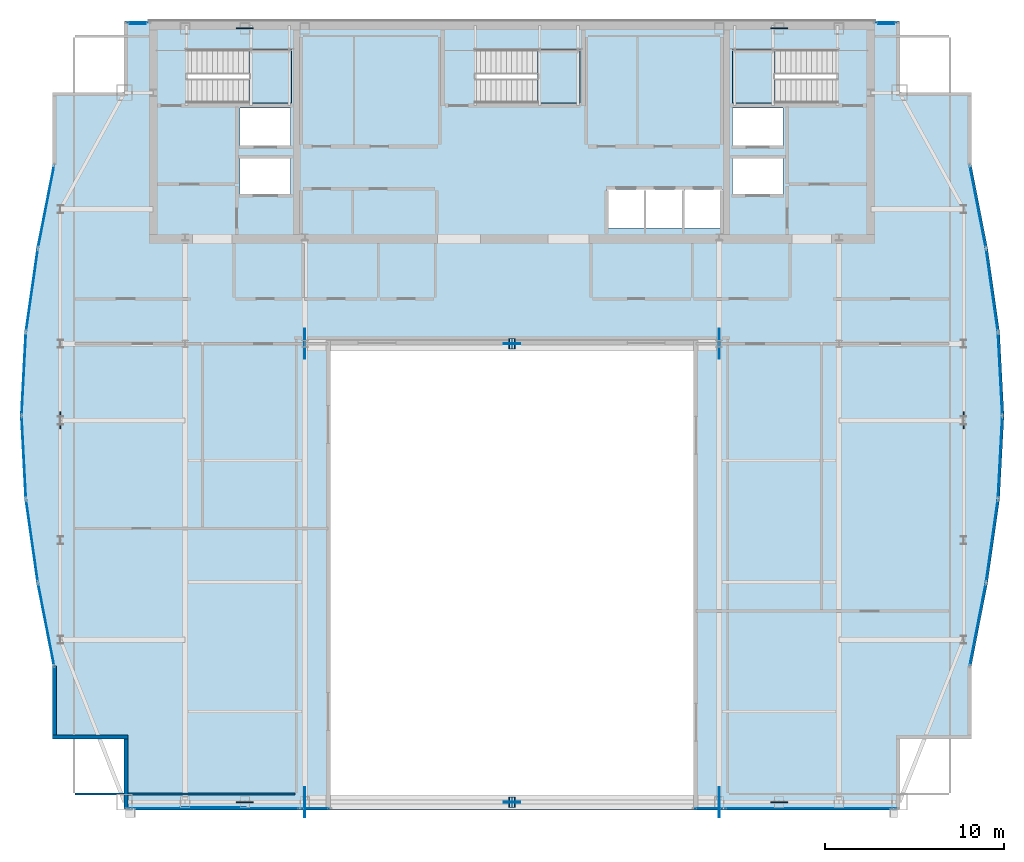
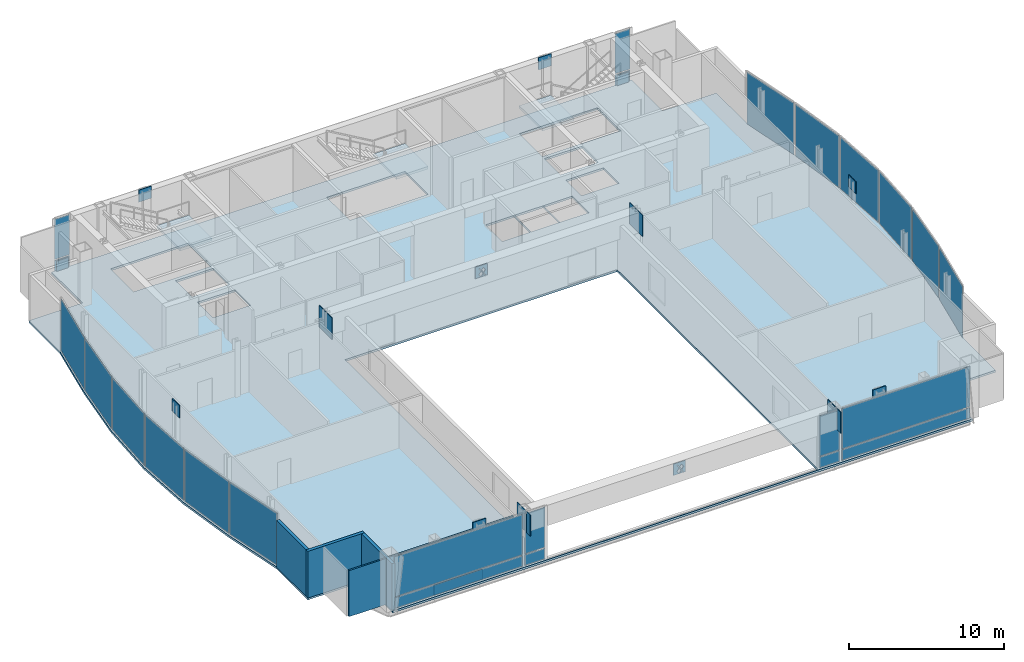
# One storey, part 21 of 27: 43 plates, 4 slabs, 4 walls, 21 elements without a shape of their own.
"""IFC4 building model written with IfcOpenShell, lengths in metres."""

from ifc_helpers import new_model, si_unit, direction, frame, frame_2d, origin, origin_2d, place, context, subcontext, project, spatial, polyline, rectangle, outline, extrude, material, layer, layer_set, type_object, element, aggregate, save


model = new_model("IFC4")

# Units and contexts
model_context = context("Model", 3, precision=1e-05, world=origin(), true_north=direction((0.0, 1.0)))
body_context = subcontext(model_context, "Body", "Model", "MODEL_VIEW")
ifc_project = project(units=[si_unit("LENGTHUNIT", "METRE"), si_unit("AREAUNIT", "SQUARE_METRE"), si_unit("VOLUMEUNIT", "CUBIC_METRE"), si_unit("PLANEANGLEUNIT", "RADIAN"), si_unit("MASSUNIT", "GRAM", prefix="KILO")], contexts=[model_context])

# Site, building, storey
site_placement = place(None, origin())
site = spatial("IfcSite", under=ifc_project, at=site_placement, CompositionType="ELEMENT")
building_placement = place(site_placement, origin())
building = spatial("IfcBuilding", under=site, at=building_placement, Name="Khoronbel Lancet Exchange", CompositionType="ELEMENT")
storey_placement = place(building_placement, frame((0.0, 0.0, 310.199951171875)))
storey = spatial("IfcBuildingStorey", under=building, at=storey_placement, Name="L80", CompositionType="ELEMENT", Elevation=310.199951171875)

# Curtain wall, plate
ifc_material_1 = material(Name="Low-E Solar Control Insulating Glass", Category="glass")
curtain_wall_type_1 = type_object("IfcCurtainWallType", Name="CW-4", PredefinedType="NOTDEFINED", material=ifc_material_1)
curtain_wall_1_placement = place(storey_placement, origin())
curtain_wall_1 = element("IfcCurtainWall", 1, at=curtain_wall_1_placement, inside=storey, type_object=curtain_wall_type_1, Name="Unitised curtain wall CW-L80-E05", PredefinedType="NOTDEFINED")
ifc_material_2 = material(Name="Bronze-Anodised Aluminium 6063-T6", Category="aluminium")
ifc_layer_1 = layer(ifc_material_2, 0.050048828125, Name="Bronze-Anodised Aluminium 6063-T6")
ifc_layer_set_1 = layer_set([ifc_layer_1], Name="Bronze-Anodised Aluminium 6063-T6")
plate_type_1 = type_object("IfcPlateType", Name="PLT-CSP1", PredefinedType="SHEET", material=ifc_layer_set_1)
plate_1_placement = place(storey_placement, frame((9.69091796875, 24.7119140625, 0.0849609375), z_axis=(0.0, 0.0, 1.0), x_axis=(-0.141906041556, 0.989880131819, 0.0)))
plate_1 = element("IfcPlate", 2, at=plate_1_placement, type_object=plate_type_1, Name="CW4 panel 1.1", PredefinedType="CURTAIN_PANEL", context=body_context, shape_type="SweptSolid", body=[
    extrude(rectangle(XDim=4.55810546875, YDim=0.0380859375, at=origin_2d()), origin(), (0.0, 0.0, 1.0), 4.070068359375),
])
aggregate(curtain_wall_1, [plate_1])

curtain_wall_2_placement = place(storey_placement, origin())
curtain_wall_2 = element("IfcCurtainWall", 3, at=curtain_wall_2_placement, inside=storey, type_object=curtain_wall_type_1, Name="Unitised curtain wall CW-L80-E06", PredefinedType="NOTDEFINED")
plate_2_placement = place(storey_placement, frame((9.234619140625, 29.37109375, 0.0849609375), z_axis=(0.0, 0.0, 1.0), x_axis=(-0.052419298932, 0.998625163462, 0.0)))
plate_2 = element("IfcPlate", 4, at=plate_2_placement, type_object=plate_type_1, Name="CW4 panel 1.1", PredefinedType="CURTAIN_PANEL", context=body_context, shape_type="SweptSolid", body=[
    extrude(rectangle(XDim=4.514404296875, YDim=0.0380859375, at=origin_2d()), origin(), (0.0, 0.0, 1.0), 4.070068359375),
])
aggregate(curtain_wall_2, [plate_2])

curtain_wall_3_placement = place(storey_placement, origin())
curtain_wall_3 = element("IfcCurtainWall", 5, at=curtain_wall_3_placement, inside=storey, type_object=curtain_wall_type_1, Name="Unitised curtain wall CW-L80-E07", PredefinedType="NOTDEFINED")
plate_3_placement = place(storey_placement, frame((9.234619140625, 34.029052734375, 0.0849609375), z_axis=(0.0, 0.0, 1.0), x_axis=(0.052419298932, 0.998625163462, 0.0)))
plate_3 = element("IfcPlate", 6, at=plate_3_placement, type_object=plate_type_1, Name="CW4 panel 1.1", PredefinedType="CURTAIN_PANEL", context=body_context, shape_type="SweptSolid", body=[
    extrude(rectangle(XDim=4.514404296875, YDim=0.0380859375, at=origin_2d()), origin(), (0.0, 0.0, 1.0), 4.070068359375),
])
aggregate(curtain_wall_3, [plate_3])

curtain_wall_4_placement = place(storey_placement, origin())
curtain_wall_4 = element("IfcCurtainWall", 7, at=curtain_wall_4_placement, inside=storey, type_object=curtain_wall_type_1, Name="Unitised curtain wall CW-L80-E08", PredefinedType="NOTDEFINED")
plate_4_placement = place(storey_placement, frame((9.69091796875, 38.68798828125, 0.0849609375), z_axis=(0.0, 0.0, 1.0), x_axis=(0.141906041556, 0.989880131819, 0.0)))
plate_4 = element("IfcPlate", 8, at=plate_4_placement, type_object=plate_type_1, Name="CW4 panel 1.1", PredefinedType="CURTAIN_PANEL", context=body_context, shape_type="SweptSolid", body=[
    extrude(rectangle(XDim=4.55810546875, YDim=0.0380859375, at=origin_2d()), origin(), (0.0, 0.0, 1.0), 4.070068359375),
])
aggregate(curtain_wall_4, [plate_4])

curtain_wall_type_2 = type_object("IfcCurtainWallType", Name="CW-3", PredefinedType="NOTDEFINED", material=ifc_material_1)
curtain_wall_5_placement = place(storey_placement, origin())
curtain_wall_5 = element("IfcCurtainWall", 9, at=curtain_wall_5_placement, inside=storey, type_object=curtain_wall_type_2, Name="Unitised curtain wall CW-L80-NWFLK", PredefinedType="NOTDEFINED")
plate_5_placement = place(storey_placement, frame((15.580078125, 53.550048828125, 0.0498046875), z_axis=(0.0, 0.0, 1.0), x_axis=(-1.0, 0.0, 0.0)))
plate_5 = element("IfcPlate", 10, at=plate_5_placement, type_object=plate_type_1, Name="Insulated bronze spandrel cassette CW-L80-NWFLK", PredefinedType="SHEET", context=body_context, shape_type="SweptSolid", body=[
    extrude(rectangle(XDim=0.89599609375, YDim=0.050048828125, at=origin_2d()), origin(), (0.0, 0.0, 1.0), 0.800048828125),
])

curtain_wall_6_placement = place(storey_placement, origin())
curtain_wall_6 = element("IfcCurtainWall", 11, at=curtain_wall_6_placement, inside=storey, type_object=curtain_wall_type_2, Name="Unitised curtain wall CW-L80-NEFLK", PredefinedType="NOTDEFINED")
plate_6_placement = place(storey_placement, frame((57.320068359375, 53.550048828125, 0.0498046875), z_axis=(0.0, 0.0, 1.0), x_axis=(-1.0, 0.0, 0.0)))
plate_6 = element("IfcPlate", 12, at=plate_6_placement, type_object=plate_type_1, Name="Insulated bronze spandrel cassette CW-L80-NEFLK", PredefinedType="SHEET", context=body_context, shape_type="SweptSolid", body=[
    extrude(rectangle(XDim=0.89599609375, YDim=0.050048828125, at=origin_2d()), origin(), (0.0, 0.0, 1.0), 0.800048828125),
])

curtain_wall_7_placement = place(storey_placement, origin())
curtain_wall_7 = element("IfcCurtainWall", 13, at=curtain_wall_7_placement, inside=storey, type_object=curtain_wall_type_1, Name="Unitised curtain wall CW-L80-E18", PredefinedType="NOTDEFINED")
plate_7_placement = place(storey_placement, frame((63.209228515625, 38.68798828125, 0.0849609375), z_axis=(0.0, 0.0, 1.0), x_axis=(0.141906041556, -0.989880131819, 0.0)))
plate_7 = element("IfcPlate", 14, at=plate_7_placement, type_object=plate_type_1, Name="CW4 panel 1.1", PredefinedType="CURTAIN_PANEL", context=body_context, shape_type="SweptSolid", body=[
    extrude(rectangle(XDim=4.55810546875, YDim=0.0380859375, at=origin_2d()), origin(), (0.0, 0.0, 1.0), 4.070068359375),
])
aggregate(curtain_wall_7, [plate_7])

curtain_wall_8_placement = place(storey_placement, origin())
curtain_wall_8 = element("IfcCurtainWall", 15, at=curtain_wall_8_placement, inside=storey, type_object=curtain_wall_type_1, Name="Unitised curtain wall CW-L80-E19", PredefinedType="NOTDEFINED")
plate_8_placement = place(storey_placement, frame((63.66552734375, 34.029052734375, 0.0849609375), z_axis=(0.0, 0.0, 1.0), x_axis=(0.052419298932, -0.998625163462, 0.0)))
plate_8 = element("IfcPlate", 16, at=plate_8_placement, type_object=plate_type_1, Name="CW4 panel 1.1", PredefinedType="CURTAIN_PANEL", context=body_context, shape_type="SweptSolid", body=[
    extrude(rectangle(XDim=4.514404296875, YDim=0.0380859375, at=origin_2d()), origin(), (0.0, 0.0, 1.0), 4.070068359375),
])
aggregate(curtain_wall_8, [plate_8])

curtain_wall_9_placement = place(storey_placement, origin())
curtain_wall_9 = element("IfcCurtainWall", 17, at=curtain_wall_9_placement, inside=storey, type_object=curtain_wall_type_1, Name="Unitised curtain wall CW-L80-E20", PredefinedType="NOTDEFINED")
plate_9_placement = place(storey_placement, frame((63.66552734375, 29.37109375, 0.0849609375), z_axis=(0.0, 0.0, 1.0), x_axis=(-0.052419298932, -0.998625163462, 0.0)))
plate_9 = element("IfcPlate", 18, at=plate_9_placement, type_object=plate_type_1, Name="CW4 panel 1.1", PredefinedType="CURTAIN_PANEL", context=body_context, shape_type="SweptSolid", body=[
    extrude(rectangle(XDim=4.514404296875, YDim=0.0380859375, at=origin_2d()), origin(), (0.0, 0.0, 1.0), 4.070068359375),
])
aggregate(curtain_wall_9, [plate_9])

curtain_wall_10_placement = place(storey_placement, origin())
curtain_wall_10 = element("IfcCurtainWall", 19, at=curtain_wall_10_placement, inside=storey, type_object=curtain_wall_type_1, Name="Unitised curtain wall CW-L80-E21", PredefinedType="NOTDEFINED")
plate_10_placement = place(storey_placement, frame((63.209228515625, 24.7119140625, 0.0849609375), z_axis=(0.0, 0.0, 1.0), x_axis=(-0.141906041556, -0.989880131819, 0.0)))
plate_10 = element("IfcPlate", 20, at=plate_10_placement, type_object=plate_type_1, Name="CW4 panel 1.1", PredefinedType="CURTAIN_PANEL", context=body_context, shape_type="SweptSolid", body=[
    extrude(rectangle(XDim=4.55810546875, YDim=0.0380859375, at=origin_2d()), origin(), (0.0, 0.0, 1.0), 4.070068359375),
])
aggregate(curtain_wall_10, [plate_10])

curtain_wall_11_placement = place(storey_placement, origin())
curtain_wall_11 = element("IfcCurtainWall", 21, at=curtain_wall_11_placement, inside=storey, type_object=curtain_wall_type_2, Name="Unitised curtain wall CW-L80-SW-WING", PredefinedType="NOTDEFINED")
plate_11_placement = place(storey_placement, frame((19.794921875, 9.85009765625, 0.0498046875), z_axis=(0.0, 0.0, 1.0), x_axis=(1.0, 0.0, 0.0)))
plate_11 = element("IfcPlate", 22, at=plate_11_placement, type_object=plate_type_1, Name="Insulated bronze spandrel cassette CW-L80-SW-WING", PredefinedType="SHEET", context=body_context, shape_type="SweptSolid", body=[
    extrude(rectangle(XDim=3.60009765625, YDim=0.050048828125, at=origin_2d()), origin(), (0.0, 0.0, 1.0), 0.800048828125),
])

# Curtain wall, plates
curtain_wall_12_placement = place(storey_placement, origin())
curtain_wall_12 = element("IfcCurtainWall", 23, at=curtain_wall_12_placement, inside=storey, type_object=curtain_wall_type_2, Name="Unitised curtain wall CW-L80-SW-PIER", PredefinedType="NOTDEFINED")
plate_12_placement = place(storey_placement, frame((25.487548828125, 9.7900390625, 0.0849609375), z_axis=(0.0, 0.0, 1.0), x_axis=(1.0, 0.0, 0.0)))
plate_12 = element("IfcPlate", 24, at=plate_12_placement, type_object=plate_type_1, Name="CW3 panel 1.1", PredefinedType="CURTAIN_PANEL", context=body_context, shape_type="SweptSolid", body=[
    extrude(rectangle(XDim=1.5048828125, YDim=0.0380859375, at=origin_2d()), origin(), (0.0, 0.0, 1.0), 0.822509765625),
])
plate_13_placement = place(storey_placement, frame((25.487548828125, 9.7900390625, 0.992431640625), z_axis=(0.0, 0.0, 1.0), x_axis=(1.0, 0.0, 0.0)))
plate_13 = element("IfcPlate", 25, at=plate_13_placement, type_object=plate_type_1, Name="CW3 panel 1.2", PredefinedType="CURTAIN_PANEL", context=body_context, shape_type="SweptSolid", body=[
    extrude(rectangle(XDim=1.5048828125, YDim=0.0380859375, at=origin_2d()), origin(), (0.0, 0.0, 1.0), 3.16259765625),
])
aggregate(curtain_wall_12, [plate_12, plate_13])

curtain_wall_13_placement = place(storey_placement, origin())
curtain_wall_13 = element("IfcCurtainWall", 26, at=curtain_wall_13_placement, inside=storey, type_object=curtain_wall_type_2, Name="Unitised curtain wall CW-L80-SE-PIER", PredefinedType="NOTDEFINED")
plate_14_placement = place(storey_placement, frame((47.41259765625, 9.7900390625, 0.0849609375), z_axis=(0.0, 0.0, 1.0), x_axis=(1.0, 0.0, 0.0)))
plate_14 = element("IfcPlate", 27, at=plate_14_placement, type_object=plate_type_1, Name="CW3 panel 1.1", PredefinedType="CURTAIN_PANEL", context=body_context, shape_type="SweptSolid", body=[
    extrude(rectangle(XDim=1.5048828125, YDim=0.0380859375, at=origin_2d()), origin(), (0.0, 0.0, 1.0), 0.822509765625),
])
plate_15_placement = place(storey_placement, frame((47.41259765625, 9.7900390625, 0.992431640625), z_axis=(0.0, 0.0, 1.0), x_axis=(1.0, 0.0, 0.0)))
plate_15 = element("IfcPlate", 28, at=plate_15_placement, type_object=plate_type_1, Name="CW3 panel 1.2", PredefinedType="CURTAIN_PANEL", context=body_context, shape_type="SweptSolid", body=[
    extrude(rectangle(XDim=1.5048828125, YDim=0.0380859375, at=origin_2d()), origin(), (0.0, 0.0, 1.0), 3.16259765625),
])
aggregate(curtain_wall_13, [plate_14, plate_15])

# Plate
ifc_layer_2 = layer(ifc_material_1, 0.035888671875, Name="Low-E Solar Control Insulating Glass")
ifc_layer_set_2 = layer_set([ifc_layer_2], Name="Low-E Solar Control Insulating Glass")
plate_type_2 = type_object("IfcPlateType", Name="PLT-CWP1", PredefinedType="CURTAIN_PANEL", material=ifc_layer_set_2)
plate_16_placement = place(storey_placement, frame((15.580078125, 53.610107421875, 0.0849609375), z_axis=(0.0, 0.0, 1.0), x_axis=(-1.0, 0.0, 0.0)))
plate_16 = element("IfcPlate", 29, at=plate_16_placement, type_object=plate_type_2, Name="CW3 panel 1.1", PredefinedType="CURTAIN_PANEL", context=body_context, shape_type="SweptSolid", body=[
    extrude(rectangle(XDim=1.110107421875, YDim=0.0380859375, at=origin_2d()), origin(), (0.0, 0.0, 1.0), 0.822509765625),
])

plate_17_placement = place(storey_placement, frame((15.580078125, 53.610107421875, 0.992431640625), z_axis=(0.0, 0.0, 1.0), x_axis=(-1.0, 0.0, 0.0)))
plate_17 = element("IfcPlate", 30, at=plate_17_placement, type_object=plate_type_2, Name="CW3 panel 1.2", PredefinedType="CURTAIN_PANEL", context=body_context, shape_type="SweptSolid", body=[
    extrude(rectangle(XDim=1.110107421875, YDim=0.0380859375, at=origin_2d()), origin(), (0.0, 0.0, 1.0), 3.16259765625),
])

aggregate(curtain_wall_5, [plate_16, plate_17, plate_5])

plate_18_placement = place(storey_placement, frame((57.320068359375, 53.610107421875, 0.0849609375), z_axis=(0.0, 0.0, 1.0), x_axis=(-1.0, 0.0, 0.0)))
plate_18 = element("IfcPlate", 31, at=plate_18_placement, type_object=plate_type_2, Name="CW3 panel 1.1", PredefinedType="CURTAIN_PANEL", context=body_context, shape_type="SweptSolid", body=[
    extrude(rectangle(XDim=1.110107421875, YDim=0.0380859375, at=origin_2d()), origin(), (0.0, 0.0, 1.0), 0.822509765625),
])

plate_19_placement = place(storey_placement, frame((57.320068359375, 53.610107421875, 0.992431640625), z_axis=(0.0, 0.0, 1.0), x_axis=(-1.0, 0.0, 0.0)))
plate_19 = element("IfcPlate", 32, at=plate_19_placement, type_object=plate_type_2, Name="CW3 panel 1.2", PredefinedType="CURTAIN_PANEL", context=body_context, shape_type="SweptSolid", body=[
    extrude(rectangle(XDim=1.110107421875, YDim=0.0380859375, at=origin_2d()), origin(), (0.0, 0.0, 1.0), 3.16259765625),
])

aggregate(curtain_wall_6, [plate_18, plate_19, plate_6])

plate_20_placement = place(storey_placement, frame((19.794921875, 9.7900390625, 0.0849609375), z_axis=(0.0, 0.0, 1.0), x_axis=(1.0, 0.0, 0.0)))
plate_20 = element("IfcPlate", 33, at=plate_20_placement, type_object=plate_type_2, Name="CW3 panel 1.1", PredefinedType="CURTAIN_PANEL", context=body_context, shape_type="SweptSolid", body=[
    extrude(rectangle(XDim=9.5400390625, YDim=0.0380859375, at=origin_2d()), origin(), (0.0, 0.0, 1.0), 0.822509765625),
])

plate_21_placement = place(storey_placement, frame((19.794921875, 9.7900390625, 0.992431640625), z_axis=(0.0, 0.0, 1.0), x_axis=(1.0, 0.0, 0.0)))
plate_21 = element("IfcPlate", 34, at=plate_21_placement, type_object=plate_type_2, Name="CW3 panel 1.2", PredefinedType="CURTAIN_PANEL", context=body_context, shape_type="SweptSolid", body=[
    extrude(rectangle(XDim=9.5400390625, YDim=0.0380859375, at=origin_2d()), origin(), (0.0, 0.0, 1.0), 3.16259765625),
])

aggregate(curtain_wall_11, [plate_20, plate_21, plate_11])

# Curtain wall, plates
curtain_wall_14_placement = place(storey_placement, origin())
curtain_wall_14 = element("IfcCurtainWall", 35, at=curtain_wall_14_placement, inside=storey, type_object=curtain_wall_type_2, Name="Unitised curtain wall CW-L80-SE-WING", PredefinedType="NOTDEFINED")
plate_22_placement = place(storey_placement, frame((53.10498046875, 9.7900390625, 0.0849609375), z_axis=(0.0, 0.0, 1.0), x_axis=(1.0, 0.0, 0.0)))
plate_22 = element("IfcPlate", 36, at=plate_22_placement, type_object=plate_type_2, Name="CW3 panel 1.1", PredefinedType="CURTAIN_PANEL", context=body_context, shape_type="SweptSolid", body=[
    extrude(rectangle(XDim=9.5400390625, YDim=0.0380859375, at=origin_2d()), origin(), (0.0, 0.0, 1.0), 0.822509765625),
])
plate_23_placement = place(storey_placement, frame((53.10498046875, 9.7900390625, 0.992431640625), z_axis=(0.0, 0.0, 1.0), x_axis=(1.0, 0.0, 0.0)))
plate_23 = element("IfcPlate", 37, at=plate_23_placement, type_object=plate_type_2, Name="CW3 panel 1.2", PredefinedType="CURTAIN_PANEL", context=body_context, shape_type="SweptSolid", body=[
    extrude(rectangle(XDim=9.5400390625, YDim=0.0380859375, at=origin_2d()), origin(), (0.0, 0.0, 1.0), 3.16259765625),
])
aggregate(curtain_wall_14, [plate_22, plate_23])

# Curtain wall, plate
curtain_wall_15_placement = place(storey_placement, origin())
curtain_wall_15 = element("IfcCurtainWall", 38, at=curtain_wall_15_placement, inside=storey, type_object=curtain_wall_type_1, Name="Unitised curtain wall CW-L80-E04", PredefinedType="NOTDEFINED")
ifc_material_3 = material(Name="Ceramic-Fritted Laminated Insulating Glass", Category="glass")
ifc_layer_3 = layer(ifc_material_3, 0.0419921875, Name="Ceramic-Fritted Laminated Insulating Glass")
ifc_layer_set_3 = layer_set([ifc_layer_3], Name="Ceramic-Fritted Laminated Insulating Glass")
plate_type_3 = type_object("IfcPlateType", Name="PLT-CWP2", PredefinedType="CURTAIN_PANEL", material=ifc_layer_set_3)
plate_24_placement = place(storey_placement, frame((10.482421875, 20.045166015625, 0.0849609375), z_axis=(0.0, 0.0, 1.0), x_axis=(-0.192176932391, 0.981360294009, 0.0)))
plate_24 = element("IfcPlate", 39, at=plate_24_placement, type_object=plate_type_3, Name="CW4 panel 1.1", PredefinedType="CURTAIN_PANEL", context=body_context, shape_type="SweptSolid", body=[
    extrude(rectangle(XDim=4.61181640625, YDim=0.0380859375, at=origin_2d()), origin(), (0.0, 0.0, 1.0), 4.070068359375),
])
aggregate(curtain_wall_15, [plate_24])

curtain_wall_16_placement = place(storey_placement, origin())
curtain_wall_16 = element("IfcCurtainWall", 40, at=curtain_wall_16_placement, inside=storey, type_object=curtain_wall_type_1, Name="Unitised curtain wall CW-L80-E09", PredefinedType="NOTDEFINED")
plate_25_placement = place(storey_placement, frame((10.482421875, 43.354736328125, 0.0849609375), z_axis=(0.0, 0.0, 1.0), x_axis=(0.192176932391, 0.981360294009, 0.0)))
plate_25 = element("IfcPlate", 41, at=plate_25_placement, type_object=plate_type_3, Name="CW4 panel 1.1", PredefinedType="CURTAIN_PANEL", context=body_context, shape_type="SweptSolid", body=[
    extrude(rectangle(XDim=4.61181640625, YDim=0.0380859375, at=origin_2d()), origin(), (0.0, 0.0, 1.0), 4.070068359375),
])
aggregate(curtain_wall_16, [plate_25])

curtain_wall_17_placement = place(storey_placement, origin())
curtain_wall_17 = element("IfcCurtainWall", 42, at=curtain_wall_17_placement, inside=storey, type_object=curtain_wall_type_1, Name="Unitised curtain wall CW-L80-E17", PredefinedType="NOTDEFINED")
plate_26_placement = place(storey_placement, frame((62.41748046875, 43.354736328125, 0.0849609375), z_axis=(0.0, 0.0, 1.0), x_axis=(0.192176932391, -0.981360294009, 0.0)))
plate_26 = element("IfcPlate", 43, at=plate_26_placement, type_object=plate_type_3, Name="CW4 panel 1.1", PredefinedType="CURTAIN_PANEL", context=body_context, shape_type="SweptSolid", body=[
    extrude(rectangle(XDim=4.61181640625, YDim=0.0380859375, at=origin_2d()), origin(), (0.0, 0.0, 1.0), 4.070068359375),
])
aggregate(curtain_wall_17, [plate_26])

curtain_wall_18_placement = place(storey_placement, origin())
curtain_wall_18 = element("IfcCurtainWall", 44, at=curtain_wall_18_placement, inside=storey, type_object=curtain_wall_type_1, Name="Unitised curtain wall CW-L80-E22", PredefinedType="NOTDEFINED")
plate_27_placement = place(storey_placement, frame((62.41748046875, 20.045166015625, 0.0849609375), z_axis=(0.0, 0.0, 1.0), x_axis=(-0.192176932391, -0.981360294009, 0.0)))
plate_27 = element("IfcPlate", 45, at=plate_27_placement, type_object=plate_type_3, Name="CW4 panel 1.1", PredefinedType="CURTAIN_PANEL", context=body_context, shape_type="SweptSolid", body=[
    extrude(rectangle(XDim=4.61181640625, YDim=0.0380859375, at=origin_2d()), origin(), (0.0, 0.0, 1.0), 4.070068359375),
])
aggregate(curtain_wall_18, [plate_27])

# Plates
ifc_material_4 = material(Name="Steel S460", Category="steel")
ifc_layer_4 = layer(ifc_material_4, 0.044921875, Name="Steel S460")
ifc_layer_set_4 = layer_set([ifc_layer_4], Name="Steel S460")
plate_type_4 = type_object("IfcPlateType", Name="PLT-ECP1", PredefinedType="USERDEFINED", material=ifc_layer_set_4)
for number, where, z_axis, x_axis, name in (
    (46, (24.889892578125, 10.14990234375, 2.60009765625), (0.0, 0.0, 1.0), (-1.0, 0.0, 0.0), "Hollow end cap plate PLT-CAP-PTG-S-W"),
    (47, (48.010009765625, 10.14990234375, 2.60009765625), (0.0, 0.0, 1.0), (1.0, 0.0, 0.0), "Hollow end cap plate PLT-CAP-PTG-S-E"),
):
    element("IfcPlate", number, at=place(storey_placement, frame(where, z_axis=z_axis, x_axis=x_axis)), inside=storey, type_object=plate_type_4, Name=name, ObjectType="STIFFENER_PLATE", PredefinedType="USERDEFINED", context=body_context, shape_type="SweptSolid", body=[
        extrude(rectangle(XDim=0.044921875, YDim=1.679931640625, at=origin_2d()), origin(), (0.0, 0.0, 1.0), 1.679931640625),
    ])
plate_28_placement = place(storey_placement, frame((36.63671875, 9.860107421875, 3.2158203125), z_axis=(0.835788288301, 0.0, 0.549051852869), x_axis=(0.0, 1.0, 0.0)))
element("IfcPlate", 48, at=plate_28_placement, inside=storey, type_object=plate_type_4, Name="Hollow end cap plate PLT-CAP-MEM-L79-PORTAL-STR-S-W-1", ObjectType="STIFFENER_PLATE", PredefinedType="USERDEFINED", context=body_context, shape_type="SweptSolid", body=[
    extrude(outline(polyline([(0.0, 0.0), (0.579833984375, 0.0), (0.579833984375, 0.579833984375), (0.0, 0.579833984375), (0.0, 0.0)])), origin(), (0.0, 0.0, -1.0), 0.044921875),
])
plate_29_placement = place(storey_placement, frame((36.26318359375, 10.43994140625, 3.2158203125), z_axis=(-0.835595064207, 0.0, 0.549345873446), x_axis=(0.0, -1.0, 0.0)))
element("IfcPlate", 49, at=plate_29_placement, inside=storey, type_object=plate_type_4, Name="Hollow end cap plate PLT-CAP-MEM-L79-PORTAL-STR-S-E-1", ObjectType="STIFFENER_PLATE", PredefinedType="USERDEFINED", context=body_context, shape_type="SweptSolid", body=[
    extrude(outline(polyline([(0.0, 0.0), (0.579833984375, 0.0), (0.579833984375, 0.580078125), (0.0, 0.580078125), (0.0, 0.0)])), origin(), (0.0, 0.0, -1.0), 0.044921875),
])
for number, where, z_axis, x_axis, name in (
    (50, (24.889892578125, 35.699951171875, 2.60009765625), (0.0, 0.0, 1.0), (-1.0, 0.0, 0.0), "Hollow end cap plate PLT-CAP-PTG-N-W"),
    (51, (48.010009765625, 35.699951171875, 2.60009765625), (0.0, 0.0, 1.0), (1.0, 0.0, 0.0), "Hollow end cap plate PLT-CAP-PTG-N-E"),
):
    element("IfcPlate", number, at=place(storey_placement, frame(where, z_axis=z_axis, x_axis=x_axis)), inside=storey, type_object=plate_type_4, Name=name, ObjectType="STIFFENER_PLATE", PredefinedType="USERDEFINED", context=body_context, shape_type="SweptSolid", body=[
        extrude(rectangle(XDim=0.044921875, YDim=1.679931640625, at=origin_2d()), origin(), (0.0, 0.0, 1.0), 1.679931640625),
    ])
plate_30_placement = place(storey_placement, frame((36.63671875, 35.409912109375, 3.2158203125), z_axis=(0.835788288301, 0.0, 0.549051852869), x_axis=(0.0, 1.0, 0.0)))
element("IfcPlate", 52, at=plate_30_placement, inside=storey, type_object=plate_type_4, Name="Hollow end cap plate PLT-CAP-MEM-L79-PORTAL-STR-N-W-1", ObjectType="STIFFENER_PLATE", PredefinedType="USERDEFINED", context=body_context, shape_type="SweptSolid", body=[
    extrude(outline(polyline([(0.0, 0.0), (0.580078125, 0.0), (0.580078125, 0.579833984375), (0.0, 0.579833984375), (0.0, 0.0)])), origin(), (0.0, 0.0, -1.0), 0.044921875),
])
plate_31_placement = place(storey_placement, frame((36.26318359375, 35.989990234375, 3.2158203125), z_axis=(-0.835595064207, 0.0, 0.549345873446), x_axis=(0.0, -1.0, 0.0)))
element("IfcPlate", 53, at=plate_31_placement, inside=storey, type_object=plate_type_4, Name="Hollow end cap plate PLT-CAP-MEM-L79-PORTAL-STR-N-E-1", ObjectType="STIFFENER_PLATE", PredefinedType="USERDEFINED", context=body_context, shape_type="SweptSolid", body=[
    extrude(outline(polyline([(0.0, 0.0), (0.580078125, 0.0), (0.580078125, 0.580078125), (0.0, 0.580078125), (0.0, 0.0)])), origin(), (0.0, 0.0, -1.0), 0.044921875),
])
ifc_layer_5 = layer(ifc_material_4, 0.06005859375, Name="Steel S460")
ifc_layer_set_5 = layer_set([ifc_layer_5], Name="Steel S460")
plate_type_5 = type_object("IfcPlateType", Name="PLT-ND3", PredefinedType="USERDEFINED", material=ifc_layer_set_5)
for number, where, z_axis, x_axis, name in (
    (54, (21.5625, 10.14990234375, 3.5751953125), (0.0, 0.0, 1.0), (1.0, 0.0, 0.0), "ND3 perimeter brace node gusset T27-S-W"),
    (55, (51.33740234375, 10.14990234375, 3.5751953125), (0.0, 0.0, 1.0), (1.0, 0.0, 0.0), "ND3 perimeter brace node gusset T27-S-E"),
    (56, (21.5625, 53.280029296875, 3.5751953125), (0.0, 0.0, 1.0), (1.0, 0.0, 0.0), "ND3 perimeter brace node gusset T27-N-W"),
    (57, (51.33740234375, 53.280029296875, 3.5751953125), (0.0, 0.0, 1.0), (1.0, 0.0, 0.0), "ND3 perimeter brace node gusset T27-N-E"),
    (58, (11.27001953125, 31.425048828125, 3.5751953125), (0.0, 0.0, 1.0), (0.0, 1.0, 0.0), "ND3 perimeter brace node gusset T27-W-P"),
    (59, (61.6298828125, 31.425048828125, 3.5751953125), (0.0, 0.0, 1.0), (0.0, 1.0, 0.0), "ND3 perimeter brace node gusset T27-E-P"),
):
    element("IfcPlate", number, at=place(storey_placement, frame(where, z_axis=z_axis, x_axis=x_axis)), inside=storey, type_object=plate_type_5, Name=name, ObjectType="GUSSET_PLATE", PredefinedType="USERDEFINED", context=body_context, shape_type="SweptSolid", body=[
        extrude(rectangle(XDim=0.949951171875, YDim=0.06005859375, at=origin_2d()), origin(), (0.0, 0.0, 1.0), 0.949951171875),
    ])
ifc_layer_6 = layer(ifc_material_4, 0.050048828125, Name="Steel S460")
ifc_layer_set_6 = layer_set([ifc_layer_6], Name="Steel S460")
plate_type_6 = type_object("IfcPlateType", Name="PLT-ND6", PredefinedType="USERDEFINED", material=ifc_layer_set_6)
for number, where, z_axis, x_axis, name in (
    (60, (36.449951171875, 10.14990234375, 2.989990234375), (0.0, 0.0, 1.0), (1.0, 0.0, 0.0), "ND6 wind-portal lancet apex node gusset S"),
    (61, (36.449951171875, 35.699951171875, 2.989990234375), (0.0, 0.0, 1.0), (1.0, 0.0, 0.0), "ND6 wind-portal lancet apex node gusset N"),
):
    element("IfcPlate", number, at=place(storey_placement, frame(where, z_axis=z_axis, x_axis=x_axis)), inside=storey, type_object=plate_type_6, Name=name, ObjectType="GUSSET_PLATE", PredefinedType="USERDEFINED", context=body_context, shape_type="SweptSolid", body=[
        extrude(rectangle(XDim=0.89990234375, YDim=0.050048828125, at=origin_2d()), origin(), (0.0, 0.0, 1.0), 0.89990234375),
    ])

# Slab
ifc_material_5 = material(Name="Concrete C40/50", Category="concrete")
ifc_layer_7 = layer(ifc_material_5, 0.159912109375, Name="Concrete C40/50")
ifc_layer_set_7 = layer_set([ifc_layer_7], Name="Concrete C40/50")
slab_type_1 = type_object("IfcSlabType", Name="SL-FL160", PredefinedType="FLOOR", material=ifc_layer_set_7)
slab_1_placement = place(storey_placement, frame((0.0, 0.0, -0.159912109375)))
element("IfcSlab", 62, at=slab_1_placement, inside=storey, type_object=slab_type_1, Name="Level L80 composite structural floor slab", PredefinedType="FLOOR", context=body_context, shape_type="SweptSolid", body=[
    extrude(outline(polyline([(14.85009765625, 9.699951171875), (58.050048828125, 9.699951171875), (58.050048828125, 13.699951171875), (62.050048828125, 13.699951171875), (62.050048828125, 17.699951171875), (62.9638671875, 22.36669921875), (63.6328125, 27.033203125), (63.877685546875, 31.699951171875), (63.6328125, 36.36669921875), (62.9638671875, 41.033203125), (62.050048828125, 45.699951171875), (62.050048828125, 49.699951171875), (58.050048828125, 49.699951171875), (58.050048828125, 53.699951171875), (14.85009765625, 53.699951171875), (14.85009765625, 49.699951171875), (10.85009765625, 49.699951171875), (10.85009765625, 45.699951171875), (9.93603515625, 41.033203125), (9.26708984375, 36.36669921875), (9.022216796875, 31.699951171875), (9.26708984375, 27.033203125), (9.93603515625, 22.36669921875), (10.85009765625, 17.699951171875), (10.85009765625, 13.699951171875), (14.85009765625, 13.699951171875), (14.85009765625, 9.699951171875)]), holes=[polyline([(18.324951171875, 49.1201171875), (24.14990234375, 49.1201171875), (24.14990234375, 52.10009765625), (18.324951171875, 52.10009765625), (18.324951171875, 49.1201171875)]), polyline([(48.75, 49.1201171875), (54.574951171875, 49.1201171875), (54.574951171875, 52.10009765625), (48.75, 52.10009765625), (48.75, 49.1201171875)]), polyline([(34.425048828125, 49.1201171875), (40.25, 49.1201171875), (40.25, 52.10009765625), (34.425048828125, 52.10009765625), (34.425048828125, 49.1201171875)]), polyline([(41.739990234375, 42.14990234375), (43.8798828125, 42.14990234375), (43.8798828125, 44.300048828125), (41.739990234375, 44.300048828125), (41.739990234375, 42.14990234375)]), polyline([(43.89990234375, 42.14990234375), (46.0400390625, 42.14990234375), (46.0400390625, 44.300048828125), (43.89990234375, 44.300048828125), (43.89990234375, 42.14990234375)]), polyline([(46.06005859375, 42.14990234375), (48.199951171875, 42.14990234375), (48.199951171875, 44.300048828125), (46.06005859375, 44.300048828125), (46.06005859375, 42.14990234375)]), polyline([(21.300048828125, 46.75), (24.10009765625, 46.75), (24.10009765625, 48.85009765625), (21.300048828125, 48.85009765625), (21.300048828125, 46.75)]), polyline([(48.75, 46.75), (51.550048828125, 46.75), (51.550048828125, 48.85009765625), (48.75, 48.85009765625), (48.75, 46.75)]), polyline([(21.300048828125, 44.050048828125), (24.10009765625, 44.050048828125), (24.10009765625, 46.050048828125), (21.300048828125, 46.050048828125), (21.300048828125, 44.050048828125)]), polyline([(48.75, 44.050048828125), (51.550048828125, 44.050048828125), (51.550048828125, 46.050048828125), (48.75, 46.050048828125), (48.75, 44.050048828125)]), polyline([(26.324951171875, 9.75), (46.574951171875, 9.75), (46.574951171875, 35.699951171875), (26.324951171875, 35.699951171875), (26.324951171875, 9.75)])]), origin(), (0.0, 0.0, 1.0), 0.159912109375),
])

# Stair, slab
stair_type = type_object("IfcStairType", Name="STR-CORE150", PredefinedType="HALF_TURN_STAIR", material=ifc_material_5)
stair_1_placement = place(storey_placement, origin())
stair_1 = element("IfcStair", 63, at=stair_1_placement, inside=storey, type_object=stair_type, Name="L80 Protected Exit Stair ST1", PredefinedType="HALF_TURN_STAIR")
ifc_layer_8 = layer(ifc_material_5, 0.199951171875, Name="Concrete C40/50")
ifc_layer_set_8 = layer_set([ifc_layer_8], Name="Concrete C40/50")
slab_type_2 = type_object("IfcSlabType", Name="SL-LND180", PredefinedType="LANDING", material=ifc_layer_set_8)
slab_2_placement = place(storey_placement, frame((0.0, 0.0, 2.0)))
slab_2 = element("IfcSlab", 64, at=slab_2_placement, type_object=slab_type_2, Name="ST1 landing 1", PredefinedType="LANDING", context=body_context, shape_type="SweptSolid", body=[
    extrude(outline(polyline([(21.780029296875, 49.1201171875), (24.14990234375, 49.1201171875), (24.14990234375, 52.10009765625), (21.780029296875, 52.10009765625), (21.780029296875, 49.1201171875)])), origin(), (0.0, 0.0, 1.0), 0.199951171875),
])
aggregate(stair_1, [slab_2])

stair_2_placement = place(storey_placement, origin())
stair_2 = element("IfcStair", 65, at=stair_2_placement, inside=storey, type_object=stair_type, Name="L80 Protected Exit Stair ST2", PredefinedType="HALF_TURN_STAIR")
slab_3_placement = place(storey_placement, frame((0.0, 0.0, 2.0)))
slab_3 = element("IfcSlab", 66, at=slab_3_placement, type_object=slab_type_2, Name="ST2 landing 1", PredefinedType="LANDING", context=body_context, shape_type="SweptSolid", body=[
    extrude(outline(polyline([(51.1201171875, 52.10009765625), (48.75, 52.10009765625), (48.75, 49.1201171875), (51.1201171875, 49.1201171875), (51.1201171875, 52.10009765625)])), origin(), (0.0, 0.0, 1.0), 0.199951171875),
])
aggregate(stair_2, [slab_3])

stair_3_placement = place(storey_placement, origin())
stair_3 = element("IfcStair", 67, at=stair_3_placement, inside=storey, type_object=stair_type, Name="L80 Protected Exit Stair ST3", PredefinedType="HALF_TURN_STAIR")
slab_4_placement = place(storey_placement, frame((0.0, 0.0, 2.0)))
slab_4 = element("IfcSlab", 68, at=slab_4_placement, type_object=slab_type_2, Name="ST3 landing 1", PredefinedType="LANDING", context=body_context, shape_type="SweptSolid", body=[
    extrude(outline(polyline([(37.8798828125, 49.1201171875), (40.25, 49.1201171875), (40.25, 52.10009765625), (37.8798828125, 52.10009765625), (37.8798828125, 49.1201171875)])), origin(), (0.0, 0.0, 1.0), 0.199951171875),
])
aggregate(stair_3, [slab_4])

# Walls
ifc_material_6 = material(Name="Precast concrete C40/50", Category="concrete")
ifc_layer_9 = layer(ifc_material_6, 0.25, Name="Precast concrete C40/50")
ifc_layer_set_9 = layer_set([ifc_layer_9], Name="Precast concrete C40/50")
wall_type_1 = type_object("IfcWallType", Name="WL-EXT250", PredefinedType="SOLIDWALL", material=ifc_layer_set_9)
wall_1_placement = place(storey_placement, frame((14.93994140625, 9.77001953125, 0.0), z_axis=(0.0, 0.0, 1.0), x_axis=(0.0, 1.0, 0.0)))
element("IfcWall", 69, at=wall_1_placement, inside=storey, type_object=wall_type_1, Name="Level L80 notched-corner limestone pier 01", PredefinedType="SOLIDWALL", context=body_context, shape_type="SweptSolid", body=[
    extrude(rectangle(XDim=3.909912109375, YDim=0.219970703125, at=frame_2d((1.955078125, 0.0))), origin(), (0.0, 0.0, 1.0), 3.679931640625),
])
wall_2_placement = place(storey_placement, frame((15.050048828125, 13.7900390625, 0.0), z_axis=(0.0, 0.0, 1.0), x_axis=(-1.0, 0.0, 0.0)))
element("IfcWall", 70, at=wall_2_placement, inside=storey, type_object=wall_type_1, Name="Level L80 notched-corner limestone pier 02", PredefinedType="SOLIDWALL", context=body_context, shape_type="SweptSolid", body=[
    extrude(rectangle(XDim=4.219970703125, YDim=0.219970703125, at=frame_2d((2.10986328125, 0.0))), origin(), (0.0, 0.0, 1.0), 3.679931640625),
])
wall_3_placement = place(storey_placement, frame((10.93994140625, 13.89990234375, 0.0), z_axis=(0.0, 0.0, 1.0), x_axis=(0.0, 1.0, 0.0)))
element("IfcWall", 71, at=wall_3_placement, inside=storey, type_object=wall_type_1, Name="Level L80 notched-corner limestone pier 03", PredefinedType="SOLIDWALL", context=body_context, shape_type="SweptSolid", body=[
    extrude(rectangle(XDim=3.828857421875, YDim=0.219970703125, at=frame_2d((1.91455078125, 0.0))), origin(), (0.0, 0.0, 1.0), 3.679931640625),
])
ifc_material_7 = material(Name="Acoustic Metal-Stud & Mineral-Wool Gypsum Partition 120 mm", Category="gypsum")
ifc_layer_10 = layer(ifc_material_7, 0.1201171875, Name="Acoustic Metal-Stud & Mineral-Wool Gypsum Partition 120 mm")
ifc_layer_set_10 = layer_set([ifc_layer_10], Name="Acoustic Metal-Stud & Mineral-Wool Gypsum Partition 120 mm")
wall_type_2 = type_object("IfcWallType", Name="WL-PRT120", PredefinedType="PARTITIONING", material=ifc_layer_set_10)
wall_4_placement = place(storey_placement, frame((12.094970703125, 10.60009765625, 0.0), z_axis=(0.0, 0.0, 1.0), x_axis=(1.0, 0.0, 0.0)))
element("IfcWall", 72, at=wall_4_placement, inside=storey, type_object=wall_type_2, Name="Level L80 interior partition PW-LIN-SW", PredefinedType="PARTITIONING", context=body_context, shape_type="SweptSolid", body=[
    extrude(rectangle(XDim=12.260009765625, YDim=0.1201171875, at=frame_2d((6.1298828125, 0.0))), origin(), (0.0, 0.0, 1.0), 3.630126953125),
])

save(model, "model.ifc")
